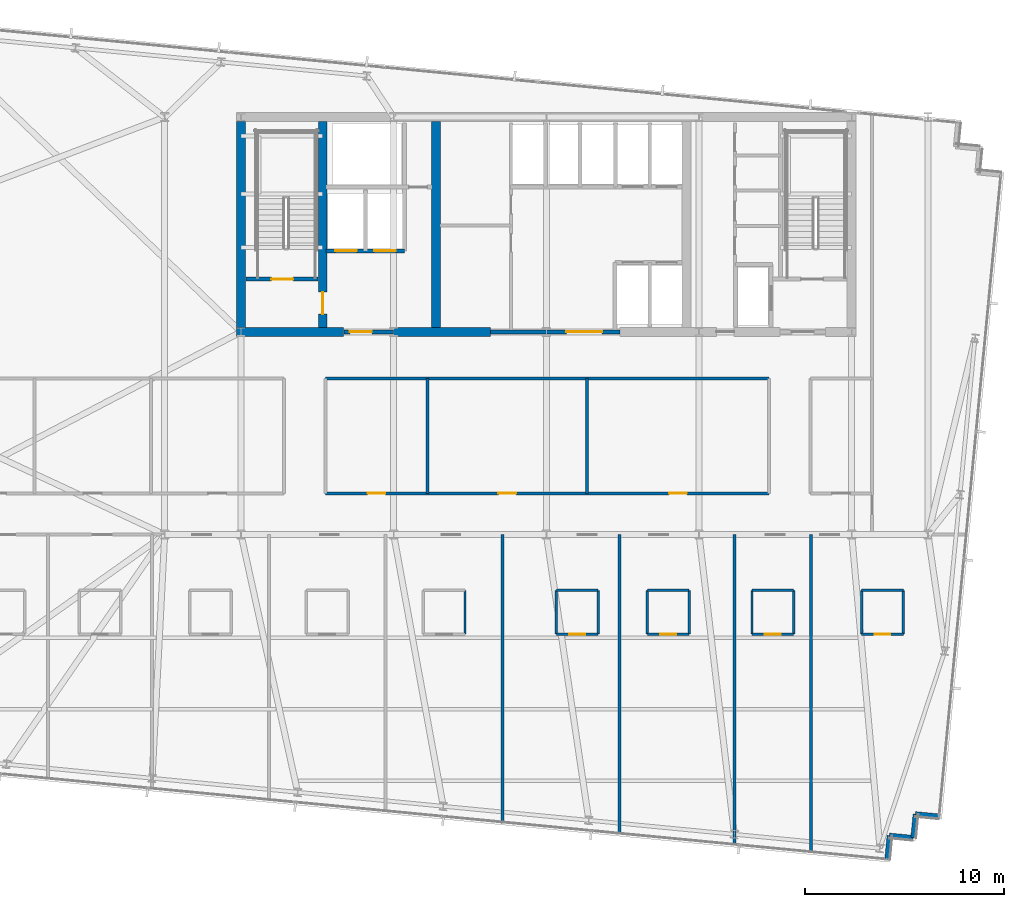
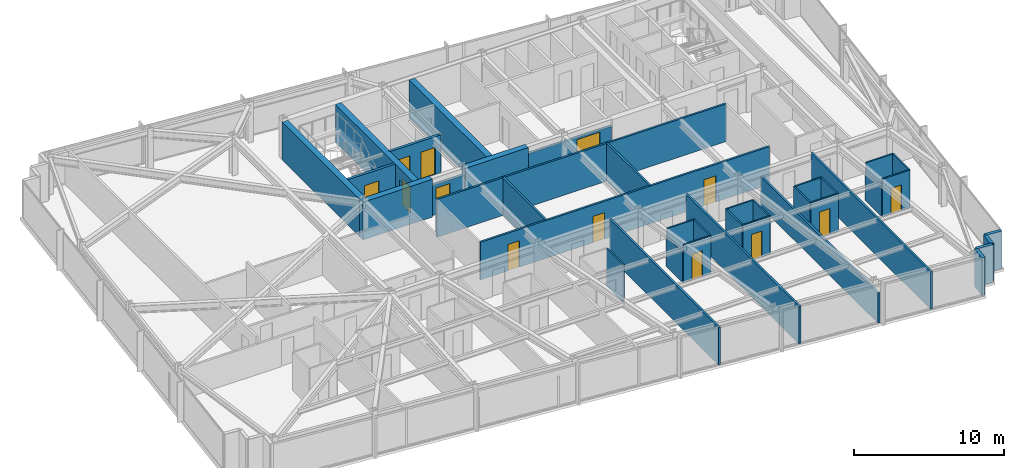
# One storey, part 30 of 37: 38 walls, 13 doors, 13 openings.
"""IFC4 building model written with IfcOpenShell, lengths in metres."""

import ifcopenshell
import ifcopenshell.guid

model = None  # the IFC model being written
_history = None  # IfcOwnerHistory: only IFC2X3 demands one
_inside = {}  # id of a spatial element -> (the spatial element, [elements in it])
_under = {}  # id of a project, library or spatial element -> (it, [spatial elements below it])
_declared = {}  # id of a project -> (the project, [libraries it declares])
_typed = {}  # id of a type object -> (the type object, [elements of that type])
_made_of = {}  # id of a material, layer set ... -> (it, [elements and type objects made of it])


def new_model(schema):
    """Start an empty IFC model of exactly this schema.

    Asked for "IFC4X3", IfcOpenShell would pick the latest addendum, in which some entities
    have other attributes; the version numbers below select the first issue.
    IFC2X3 requires an IfcOwnerHistory on every rooted entity: one is made here for all.
    """
    global model, _history
    if schema == "IFC4X3":
        model = ifcopenshell.file(schema_version=(4, 3, 0, 0))
    else:
        model = ifcopenshell.file(schema=schema)
    _inside.clear()
    _under.clear()
    _declared.clear()
    _typed.clear()
    _made_of.clear()
    _history = None
    if model.schema == "IFC2X3":
        org = make("IfcOrganization", Name="unknown")
        user = make(
            "IfcPersonAndOrganization",
            ThePerson=make("IfcPerson", FamilyName="unknown"),
            TheOrganization=org,
        )
        app = make(
            "IfcApplication",
            ApplicationDeveloper=org,
            Version="unknown",
            ApplicationFullName="unknown",
            ApplicationIdentifier="unknown",
        )
        _history = make(
            "IfcOwnerHistory",
            OwningUser=user,
            OwningApplication=app,
            ChangeAction="ADDED",
            CreationDate=0,
        )
    return model


def make(cls, **values):
    """One entity of the class cls with the attributes given. An attribute that is None is left unset."""
    return model.create_entity(
        cls, **{name: value for name, value in values.items() if value is not None}
    )


def rooted(cls, **values):
    """An entity with a GlobalId (a new one), such as an element, a storey or a relation."""
    return make(cls, GlobalId=ifcopenshell.guid.new(), OwnerHistory=_history, **values)


def si_unit(unit_type, name, prefix=None):
    """IfcSIUnit, for example si_unit("LENGTHUNIT", "METRE", prefix="MILLI")."""
    return make("IfcSIUnit", UnitType=unit_type, Prefix=prefix, Name=name)


def assignment(units):
    """IfcUnitAssignment: the units of a project."""
    return None if units is None else make("IfcUnitAssignment", Units=units)


def point(xyz):
    """IfcCartesianPoint."""
    return None if xyz is None else make("IfcCartesianPoint", Coordinates=xyz)


def direction(xyz):
    """IfcDirection."""
    return None if xyz is None else make("IfcDirection", DirectionRatios=xyz)


def frame(location, z_axis=None, x_axis=None):
    """IfcAxis2Placement3D, a coordinate frame: its origin and axes. An axis left out is left unset."""
    return make(
        "IfcAxis2Placement3D",
        Location=point(location),
        Axis=direction(z_axis),
        RefDirection=direction(x_axis),
    )


def frame_2d(location, x_axis=None):
    """IfcAxis2Placement2D, a coordinate frame in the plane: its origin and x axis."""
    return make(
        "IfcAxis2Placement2D", Location=point(location), RefDirection=direction(x_axis)
    )


def origin():
    """The frame at (0, 0, 0) with its axes left unset."""
    return frame((0.0, 0.0, 0.0))


def place(relative_to, where):
    """IfcLocalPlacement: puts the frame where relative to a parent placement (None: the world)."""
    return make(
        "IfcLocalPlacement", PlacementRelTo=relative_to, RelativePlacement=where
    )


def context(
    kind, dimensions, precision=None, world=None, true_north=None, identifier=None
):
    """IfcGeometricRepresentationContext, for example the 3D "Model" context."""
    return make(
        "IfcGeometricRepresentationContext",
        ContextIdentifier=identifier,
        ContextType=kind,
        CoordinateSpaceDimension=dimensions,
        Precision=precision,
        WorldCoordinateSystem=world,
        TrueNorth=true_north,
    )


def subcontext(parent, identifier, kind, view, scale=None):
    """IfcGeometricRepresentationSubContext, for example "Body" below "Model"."""
    return make(
        "IfcGeometricRepresentationSubContext",
        ContextIdentifier=identifier,
        ContextType=kind,
        ParentContext=parent,
        TargetScale=scale,
        TargetView=view,
    )


def project(units=None, contexts=None):
    """IfcProject with its units and contexts."""
    return rooted(
        "IfcProject",
        Name="project",
        RepresentationContexts=contexts,
        UnitsInContext=assignment(units),
    )


def spatial(cls, under=None, at=None, **own):
    """A site, building, storey or space (cls), placed at a placement, below another one or the project."""
    s = rooted(cls, ObjectPlacement=at, **own)
    if under is not None:
        _under.setdefault(under.id(), (under, []))[1].append(s)
    return s


def profile(cls, at=None, kind="AREA", **sizes):
    """A parametric profile (cls). Its sizes go by their IFC names, for example OverallWidth=200.0."""
    return make(cls, ProfileType=kind, Position=at, **sizes)


def rectangle(**sizes):
    """IfcRectangleProfileDef."""
    return profile("IfcRectangleProfileDef", **sizes)


def extrude(swept, where, along, depth):
    """IfcExtrudedAreaSolid: the profile swept, set in the frame where, extruded along a direction by depth."""
    return make(
        "IfcExtrudedAreaSolid",
        SweptArea=swept,
        Position=where,
        ExtrudedDirection=direction(along),
        Depth=depth,
    )


def shape(context_of_items, identifier, shape_type, items):
    """IfcShapeRepresentation: the items that make up one representation, for example the "Body"."""
    return make(
        "IfcShapeRepresentation",
        ContextOfItems=context_of_items,
        RepresentationIdentifier=identifier,
        RepresentationType=shape_type,
        Items=items,
    )


def material(Name=None, Category=None):
    """IfcMaterial."""
    return make("IfcMaterial", Name=Name, Category=Category)


def layer(
    of_material, thickness, ventilated=None, Name=None, Category=None, Priority=None
):
    """IfcMaterialLayer: one layer of a wall or slab, of a material (None: an air gap)."""
    return make(
        "IfcMaterialLayer",
        Material=of_material,
        LayerThickness=thickness,
        IsVentilated=ventilated,
        Name=Name,
        Category=Category,
        Priority=Priority,
    )


def layer_set(layers, Name=None):
    """IfcMaterialLayerSet."""
    return make("IfcMaterialLayerSet", MaterialLayers=layers, LayerSetName=Name)


def made_of(thing, what):
    """Note that an element or type object is made of a material, layer set ...; save() writes the relation."""
    if what is not None:
        _made_of.setdefault(what.id(), (what, []))[1].append(thing)
    return thing


def type_object(cls, material=None, **own):
    """A type object (cls), such as IfcWallType, which elements share."""
    return made_of(rooted(cls, **own), material)


def element(
    cls,
    number,
    at=None,
    inside=None,
    cuts=None,
    type_object=None,
    material=None,
    context=None,
    identifier="Body",
    shape_type=None,
    held_by="IfcProductDefinitionShape",
    body=None,
    shapes=None,
    **own,
):
    """One element of the class cls, such as IfcWall. Its Tag is "e" and its number.

    at: its placement. inside: the storey or other place that contains it. cuts: it is an
    opening in that element (IfcRelVoidsElement). A single representation is given by context,
    identifier, shape_type and body (its items); several are given by shapes. held_by: the class
    of the entity that holds the representations. save() writes the other relations.
    """
    e = rooted(cls, Tag="e%d" % number, ObjectPlacement=at, **own)
    if body is not None:
        shapes = [shape(context, identifier, shape_type, body)]
    if shapes is not None:
        e.Representation = make(held_by, Representations=shapes)
    if inside is not None:
        _inside.setdefault(inside.id(), (inside, []))[1].append(e)
    if cuts is not None:
        rooted(
            "IfcRelVoidsElement", RelatingBuildingElement=cuts, RelatedOpeningElement=e
        )
    if type_object is not None:
        _typed.setdefault(type_object.id(), (type_object, []))[1].append(e)
    return made_of(e, material)


def fill(opening, filler):
    """IfcRelFillsElement: the door or window that sits in an opening."""
    return rooted(
        "IfcRelFillsElement",
        RelatingOpeningElement=opening,
        RelatedBuildingElement=filler,
    )


def aggregate(whole, parts):
    """IfcRelAggregates: a whole, such as a stair, and the parts it consists of."""
    return rooted("IfcRelAggregates", RelatingObject=whole, RelatedObjects=parts)


def save(model, path):
    """Write the relations noted so far, then the file.

    IfcRelAggregates (storeys below a building ...), IfcRelContainedInSpatialStructure (elements
    in a storey), IfcRelDefinesByType, IfcRelAssociatesMaterial and IfcRelDeclares: one each for
    every whole, place, type object, material and project.
    """
    for whole, parts in _under.values():
        aggregate(whole, parts)
    for where, things in _inside.values():
        rooted(
            "IfcRelContainedInSpatialStructure",
            RelatedElements=things,
            RelatingStructure=where,
        )
    for kind, things in _typed.values():
        rooted("IfcRelDefinesByType", RelatedObjects=things, RelatingType=kind)
    for what, things in _made_of.values():
        rooted("IfcRelAssociatesMaterial", RelatedObjects=things, RelatingMaterial=what)
    for by, libraries in _declared.values():
        rooted("IfcRelDeclares", RelatingContext=by, RelatedDefinitions=libraries)
    model.write(path)


model = new_model("IFC4")

# Units and contexts
model_context = context("Model", 3, precision=1e-05, world=origin(), true_north=direction((0.0, 1.0)))
body_context = subcontext(model_context, "Body", "Model", "MODEL_VIEW")
ifc_project = project(units=[si_unit("LENGTHUNIT", "METRE"), si_unit("AREAUNIT", "SQUARE_METRE"), si_unit("VOLUMEUNIT", "CUBIC_METRE"), si_unit("PLANEANGLEUNIT", "RADIAN"), si_unit("MASSUNIT", "GRAM", prefix="KILO")], contexts=[model_context])

# Site, building, storey
site_placement = place(None, origin())
site = spatial("IfcSite", under=ifc_project, at=site_placement, CompositionType="ELEMENT")
building_placement = place(site_placement, origin())
building = spatial("IfcBuilding", under=site, at=building_placement, Name="Yelkora Congress Tower", CompositionType="ELEMENT")
storey_placement = place(building_placement, frame((0.0, 0.0, 162.199951171875)))
storey = spatial("IfcBuildingStorey", under=building, at=storey_placement, Name="L44", CompositionType="ELEMENT", Elevation=162.199951171875)

# Walls
ifc_material_1 = material(Name="Concrete C60/75", Category="concrete")
ifc_layer_1 = layer(ifc_material_1, 0.449951171875)
ifc_layer_set_1 = layer_set([ifc_layer_1], Name="Concrete C60/75")
wall_type_1 = type_object("IfcWallType", Name="WALL-CORE-INT-450", PredefinedType="SHEAR", material=ifc_layer_set_1)
wall_1_placement = place(storey_placement, frame((22.81494140625, 35.39990234375, 0.0), z_axis=(0.0, 0.0, 1.0), x_axis=(1.0, 0.0, 0.0)))
element("IfcWall", 1, at=wall_1_placement, inside=storey, type_object=wall_type_1, Name="L44 Rear Core South-West Shear Wall", PredefinedType="SHEAR", context=body_context, shape_type="SweptSolid", body=[
    extrude(rectangle(XDim=5.385009765625, YDim=0.449951171875, at=frame_2d((2.6923828125, 0.0))), origin(), (0.0, 0.0, 1.0), 3.080078125),
])
wall_2_placement = place(storey_placement, frame((30.719970703125, 35.39990234375, 0.0), z_axis=(0.0, 0.0, 1.0), x_axis=(1.0, 0.0, 0.0)))
element("IfcWall", 2, at=wall_2_placement, inside=storey, type_object=wall_type_1, Name="L44 Rear Core South-Center Shear Pier", PredefinedType="SHEAR", context=body_context, shape_type="SweptSolid", body=[
    extrude(rectangle(XDim=4.880126953125, YDim=0.449951171875, at=frame_2d((2.43994140625, 0.0))), origin(), (0.0, 0.0, 1.0), 3.080078125),
])
wall_3_placement = place(storey_placement, frame((23.0400390625, 35.625, 0.0), z_axis=(0.0, 0.0, 1.0), x_axis=(0.0, 1.0, 0.0)))
element("IfcWall", 3, at=wall_3_placement, inside=storey, type_object=wall_type_1, Name="L44 Rear Core Cross Shear Wall W", PredefinedType="SHEAR", context=body_context, shape_type="SweptSolid", body=[
    extrude(rectangle(XDim=10.35009765625, YDim=0.449951171875, at=frame_2d((5.175048828125, 0.0))), origin(), (0.0, 0.0, 1.0), 3.080078125),
])

# Wall, opening, door
wall_4_placement = place(storey_placement, frame((27.14990234375, 35.625, 0.0), z_axis=(0.0, 0.0, 1.0), x_axis=(0.0, 1.0, 0.0)))
wall_4 = element("IfcWall", 4, at=wall_4_placement, inside=storey, type_object=wall_type_1, Name="L44 Rear Core Cross Shear Wall C1", PredefinedType="SHEAR", context=body_context, shape_type="SweptSolid", body=[
    extrude(rectangle(XDim=10.35009765625, YDim=0.449951171875, at=frame_2d((5.175048828125, 0.0))), origin(), (0.0, 0.0, 1.0), 3.080078125),
])
opening_1_placement = place(wall_4_placement, frame((0.675048828125, 0.0, 0.0)))
opening_1 = element("IfcOpeningElement", 5, at=opening_1_placement, cuts=wall_4, Name="Opening DR-110F9", PredefinedType="OPENING", context=body_context, shape_type="SweptSolid", body=[
    extrude(rectangle(XDim=1.10009765625, YDim=2.14990234375, at=frame_2d((0.550048828125, 1.074951171875))), frame((0.0, 0.23486328125, 0.0), z_axis=(0.0, -1.0, 0.0), x_axis=(1.0, 0.0, 0.0)), (0.0, 0.0, 1.0), 0.469970703125),
])
ifc_material_2 = material(Name="Galvanised steel fire door leaf", Category="steel")
door_type_1 = type_object("IfcDoorType", Name="DOOR-FD90-1100", OperationType="NOTDEFINED", PredefinedType="DOOR", material=ifc_material_2)
door_1_placement = place(opening_1_placement, origin())
door_1 = element("IfcDoor", 6, at=door_1_placement, inside=storey, type_object=door_type_1, Name="L44 Firefighting Stair Transfer Door", OperationType="SINGLE_SWING_LEFT", OverallHeight=2.14990234375, OverallWidth=1.10009765625, PredefinedType="DOOR", context=body_context, shape_type="SweptSolid", body=[
    extrude(rectangle(XDim=1.10009765625, YDim=2.14990234375, at=frame_2d((0.550048828125, 1.074951171875))), frame((0.0, 0.02490234375, 0.0), z_axis=(0.0, -1.0, 0.0), x_axis=(1.0, 0.0, 0.0)), (0.0, 0.0, 1.0), 0.050048828125),
])
fill(opening_1, door_1)

# Walls
wall_5_placement = place(storey_placement, frame((32.85009765625, 35.625, 0.0), z_axis=(0.0, 0.0, 1.0), x_axis=(0.0, 1.0, 0.0)))
element("IfcWall", 7, at=wall_5_placement, inside=storey, type_object=wall_type_1, Name="L44 Rear Core Cross Shear Wall C2", PredefinedType="SHEAR", context=body_context, shape_type="SweptSolid", body=[
    extrude(rectangle(XDim=10.35009765625, YDim=0.449951171875, at=frame_2d((5.175048828125, 0.0))), origin(), (0.0, 0.0, 1.0), 3.080078125),
])
ifc_material_3 = material(Name="Concrete C40/50", Category="concrete")
ifc_layer_2 = layer(ifc_material_3, 0.239990234375)
ifc_layer_set_2 = layer_set([ifc_layer_2], Name="Concrete C40/50")
wall_type_2 = type_object("IfcWallType", Name="WALL-EXT-LIMESTONE-240", PredefinedType="SOLIDWALL", material=ifc_layer_set_2)
wall_6_placement = place(storey_placement, frame((58.160400390625, 11.033203125, 0.0), z_axis=(0.0, 0.0, 1.0), x_axis=(-0.995398960025, 0.095817067274, 0.0)))
element("IfcWall", 8, at=wall_6_placement, inside=storey, type_object=wall_type_2, Name="L44 Serrated Corner Limestone Pier 16", PredefinedType="SOLIDWALL", context=body_context, shape_type="SweptSolid", body=[
    extrude(rectangle(XDim=1.2001953125, YDim=0.239990234375, at=frame_2d((0.60009765625, 0.0))), origin(), (0.0, 0.0, 1.0), 3.080078125),
])
for number, where, z_axis, x_axis, name in (
    (9, (56.9658203125, 11.148193359375, 0.0), (0.0, 0.0, 1.0), (-0.095836473879, -0.995397091755, 0.0), "L44 Serrated Corner Limestone Pier 17"),
    (10, (56.850830078125, 9.953857421875, 0.0), (0.0, 0.0, 1.0), (-0.995397091755, 0.095836473879, 0.0), "L44 Serrated Corner Limestone Pier 18"),
):
    element("IfcWall", number, at=place(storey_placement, frame(where, z_axis=z_axis, x_axis=x_axis)), inside=storey, type_object=wall_type_2, Name=name, PredefinedType="SOLIDWALL", context=body_context, shape_type="SweptSolid", body=[
        extrude(rectangle(XDim=1.199951171875, YDim=0.239990234375, at=frame_2d((0.60009765625, 0.0))), origin(), (0.0, 0.0, 1.0), 3.080078125),
    ])
wall_7_placement = place(storey_placement, frame((55.656494140625, 10.06884765625, 0.0), z_axis=(0.0, 0.0, 1.0), x_axis=(-0.095817067274, -0.995398960025, 0.0)))
element("IfcWall", 11, at=wall_7_placement, inside=storey, type_object=wall_type_2, Name="L44 Serrated Corner Limestone Pier 19", PredefinedType="SOLIDWALL", context=body_context, shape_type="SweptSolid", body=[
    extrude(rectangle(XDim=1.2001953125, YDim=0.239990234375, at=frame_2d((0.60009765625, 0.0))), origin(), (0.0, 0.0, 1.0), 3.080078125),
])
ifc_material_4 = material(Name="Moisture-resistant gypsum partition", Category="gypsum")
ifc_layer_3 = layer(ifc_material_4, 0.1201171875)
ifc_layer_set_3 = layer_set([ifc_layer_3], Name="Moisture-resistant gypsum partition")
wall_type_3 = type_object("IfcWallType", Name="WALL-INT-120-NR", PredefinedType="PARTITIONING", material=ifc_layer_set_3)
wall_8_placement = place(storey_placement, frame((34.30810546875, 20.199951171875, 0.0), z_axis=(0.0, 0.0, 1.0), x_axis=(0.0, 1.0, 0.0)))
element("IfcWall", 12, at=wall_8_placement, inside=storey, type_object=wall_type_3, Name="L44 Partition Wall 49", PredefinedType="PARTITIONING", context=body_context, shape_type="SweptSolid", body=[
    extrude(rectangle(XDim=2.199951171875, YDim=0.1201171875, at=frame_2d((1.10009765625, 0.0))), origin(), (0.0, 0.0, 1.0), 3.080078125),
])
wall_9_placement = place(storey_placement, frame((38.89990234375, 22.39990234375, 0.0), z_axis=(0.0, 0.0, 1.0), x_axis=(1.0, 0.0, 0.0)))
element("IfcWall", 13, at=wall_9_placement, inside=storey, type_object=wall_type_3, Name="L44 Partition Wall 52", PredefinedType="PARTITIONING", context=body_context, shape_type="SweptSolid", body=[
    extrude(rectangle(XDim=2.10009765625, YDim=0.1201171875, at=frame_2d((1.050048828125, 0.0))), origin(), (0.0, 0.0, 1.0), 3.080078125),
])
wall_10_placement = place(storey_placement, frame((38.89990234375, 20.199951171875, 0.0), z_axis=(0.0, 0.0, 1.0), x_axis=(0.0, 1.0, 0.0)))
element("IfcWall", 14, at=wall_10_placement, inside=storey, type_object=wall_type_3, Name="L44 Partition Wall 53", PredefinedType="PARTITIONING", context=body_context, shape_type="SweptSolid", body=[
    extrude(rectangle(XDim=2.199951171875, YDim=0.1201171875, at=frame_2d((1.10009765625, 0.0))), origin(), (0.0, 0.0, 1.0), 2.47509765625),
])
wall_11_placement = place(storey_placement, frame((41.0, 20.199951171875, 0.0), z_axis=(0.0, 0.0, 1.0), x_axis=(0.0, 1.0, 0.0)))
element("IfcWall", 15, at=wall_11_placement, inside=storey, type_object=wall_type_3, Name="L44 Partition Wall 54", PredefinedType="PARTITIONING", context=body_context, shape_type="SweptSolid", body=[
    extrude(rectangle(XDim=2.199951171875, YDim=0.1201171875, at=frame_2d((1.10009765625, 0.0))), origin(), (0.0, 0.0, 1.0), 3.080078125),
])

# Wall, opening, door
wall_12_placement = place(storey_placement, frame((38.89990234375, 20.199951171875, 0.0), z_axis=(0.0, 0.0, 1.0), x_axis=(1.0, 0.0, 0.0)))
wall_12 = element("IfcWall", 16, at=wall_12_placement, inside=storey, type_object=wall_type_3, Name="L44 Partition Wall 55", PredefinedType="PARTITIONING", context=body_context, shape_type="SweptSolid", body=[
    extrude(rectangle(XDim=2.10009765625, YDim=0.1201171875, at=frame_2d((1.050048828125, 0.0))), origin(), (0.0, 0.0, 1.0), 3.080078125),
])
opening_2_placement = place(wall_12_placement, frame((0.64990234375, 0.0, 0.0)))
opening_2 = element("IfcOpeningElement", 17, at=opening_2_placement, cuts=wall_12, Name="Opening DR-080B", PredefinedType="OPENING", context=body_context, shape_type="SweptSolid", body=[
    extrude(rectangle(XDim=0.800048828125, YDim=2.10009765625, at=frame_2d((0.39990234375, 1.050048828125))), frame((0.0, 0.070068359375, 0.0), z_axis=(0.0, -1.0, 0.0), x_axis=(1.0, 0.0, 0.0)), (0.0, 0.0, 1.0), 0.14013671875),
])
ifc_material_5 = material(Name="Moisture-sealed en-suite timber door", Category="wood")
door_type_2 = type_object("IfcDoorType", Name="DOOR-BATH-800", OperationType="NOTDEFINED", PredefinedType="DOOR", material=ifc_material_5)
door_2_placement = place(opening_2_placement, origin())
door_2 = element("IfcDoor", 18, at=door_2_placement, inside=storey, type_object=door_type_2, Name="L44 En-suite Door 6", OperationType="SINGLE_SWING_LEFT", OverallHeight=2.10009765625, OverallWidth=0.800048828125, PredefinedType="DOOR", context=body_context, shape_type="SweptSolid", body=[
    extrude(rectangle(XDim=0.800048828125, YDim=2.10009765625, at=frame_2d((0.39990234375, 1.050048828125))), frame((0.0, 0.02490234375, 0.0), z_axis=(0.0, -1.0, 0.0), x_axis=(1.0, 0.0, 0.0)), (0.0, 0.0, 1.0), 0.050048828125),
])
fill(opening_2, door_2)

# Walls
wall_13_placement = place(storey_placement, frame((43.47998046875, 22.39990234375, 0.0), z_axis=(0.0, 0.0, 1.0), x_axis=(1.0, 0.0, 0.0)))
element("IfcWall", 19, at=wall_13_placement, inside=storey, type_object=wall_type_3, Name="L44 Partition Wall 57", PredefinedType="PARTITIONING", context=body_context, shape_type="SweptSolid", body=[
    extrude(rectangle(XDim=2.10009765625, YDim=0.1201171875, at=frame_2d((1.050048828125, 0.0))), origin(), (0.0, 0.0, 1.0), 3.080078125),
])
for number, where, z_axis, x_axis, name in (
    (20, (43.47998046875, 20.199951171875, 0.0), (0.0, 0.0, 1.0), (0.0, 1.0, 0.0), "L44 Partition Wall 58"),
    (21, (45.580078125, 20.199951171875, 0.0), (0.0, 0.0, 1.0), (0.0, 1.0, 0.0), "L44 Partition Wall 59"),
):
    element("IfcWall", number, at=place(storey_placement, frame(where, z_axis=z_axis, x_axis=x_axis)), inside=storey, type_object=wall_type_3, Name=name, PredefinedType="PARTITIONING", context=body_context, shape_type="SweptSolid", body=[
        extrude(rectangle(XDim=2.199951171875, YDim=0.1201171875, at=frame_2d((1.10009765625, 0.0))), origin(), (0.0, 0.0, 1.0), 3.080078125),
    ])

# Wall, opening, door
wall_14_placement = place(storey_placement, frame((43.47998046875, 20.199951171875, 0.0), z_axis=(0.0, 0.0, 1.0), x_axis=(1.0, 0.0, 0.0)))
wall_14 = element("IfcWall", 22, at=wall_14_placement, inside=storey, type_object=wall_type_3, Name="L44 Partition Wall 60", PredefinedType="PARTITIONING", context=body_context, shape_type="SweptSolid", body=[
    extrude(rectangle(XDim=2.10009765625, YDim=0.1201171875, at=frame_2d((1.050048828125, 0.0))), origin(), (0.0, 0.0, 1.0), 3.080078125),
])
opening_3_placement = place(wall_14_placement, frame((0.64990234375, 0.0, 0.0)))
opening_3 = element("IfcOpeningElement", 23, at=opening_3_placement, cuts=wall_14, Name="Opening DR-080B", PredefinedType="OPENING", context=body_context, shape_type="SweptSolid", body=[
    extrude(rectangle(XDim=0.800048828125, YDim=2.10009765625, at=frame_2d((0.39990234375, 1.050048828125))), frame((0.0, 0.070068359375, 0.0), z_axis=(0.0, -1.0, 0.0), x_axis=(1.0, 0.0, 0.0)), (0.0, 0.0, 1.0), 0.14013671875),
])
door_3_placement = place(opening_3_placement, origin())
door_3 = element("IfcDoor", 24, at=door_3_placement, inside=storey, type_object=door_type_2, Name="L44 En-suite Door 7", OperationType="SINGLE_SWING_RIGHT", OverallHeight=2.10009765625, OverallWidth=0.800048828125, PredefinedType="DOOR", context=body_context, shape_type="SweptSolid", body=[
    extrude(rectangle(XDim=0.800048828125, YDim=2.10009765625, at=frame_2d((0.39990234375, 1.050048828125))), frame((0.0, 0.02490234375, 0.0), z_axis=(0.0, -1.0, 0.0), x_axis=(1.0, 0.0, 0.0)), (0.0, 0.0, 1.0), 0.050048828125),
])
fill(opening_3, door_3)

# Walls
wall_15_placement = place(storey_placement, frame((48.740966796875, 22.39990234375, 0.0), z_axis=(0.0, 0.0, 1.0), x_axis=(1.0, 0.0, 0.0)))
element("IfcWall", 25, at=wall_15_placement, inside=storey, type_object=wall_type_3, Name="L44 Partition Wall 62", PredefinedType="PARTITIONING", context=body_context, shape_type="SweptSolid", body=[
    extrude(rectangle(XDim=2.10009765625, YDim=0.1201171875, at=frame_2d((1.050048828125, 0.0))), origin(), (0.0, 0.0, 1.0), 3.080078125),
])
for number, where, z_axis, x_axis, name in (
    (26, (48.740966796875, 20.199951171875, 0.0), (0.0, 0.0, 1.0), (0.0, 1.0, 0.0), "L44 Partition Wall 63"),
    (27, (50.841064453125, 20.199951171875, 0.0), (0.0, 0.0, 1.0), (0.0, 1.0, 0.0), "L44 Partition Wall 64"),
):
    element("IfcWall", number, at=place(storey_placement, frame(where, z_axis=z_axis, x_axis=x_axis)), inside=storey, type_object=wall_type_3, Name=name, PredefinedType="PARTITIONING", context=body_context, shape_type="SweptSolid", body=[
        extrude(rectangle(XDim=2.199951171875, YDim=0.1201171875, at=frame_2d((1.10009765625, 0.0))), origin(), (0.0, 0.0, 1.0), 3.080078125),
    ])

# Wall, opening, door
wall_16_placement = place(storey_placement, frame((48.740966796875, 20.199951171875, 0.0), z_axis=(0.0, 0.0, 1.0), x_axis=(1.0, 0.0, 0.0)))
wall_16 = element("IfcWall", 28, at=wall_16_placement, inside=storey, type_object=wall_type_3, Name="L44 Partition Wall 65", PredefinedType="PARTITIONING", context=body_context, shape_type="SweptSolid", body=[
    extrude(rectangle(XDim=2.10009765625, YDim=0.1201171875, at=frame_2d((1.050048828125, 0.0))), origin(), (0.0, 0.0, 1.0), 3.080078125),
])
opening_4_placement = place(wall_16_placement, frame((0.64990234375, 0.0, 0.0)))
opening_4 = element("IfcOpeningElement", 29, at=opening_4_placement, cuts=wall_16, Name="Opening DR-080B", PredefinedType="OPENING", context=body_context, shape_type="SweptSolid", body=[
    extrude(rectangle(XDim=0.800048828125, YDim=2.10009765625, at=frame_2d((0.39990234375, 1.050048828125))), frame((0.0, 0.070068359375, 0.0), z_axis=(0.0, -1.0, 0.0), x_axis=(1.0, 0.0, 0.0)), (0.0, 0.0, 1.0), 0.14013671875),
])
door_4_placement = place(opening_4_placement, origin())
door_4 = element("IfcDoor", 30, at=door_4_placement, inside=storey, type_object=door_type_2, Name="L44 En-suite Door 8", OperationType="SINGLE_SWING_LEFT", OverallHeight=2.10009765625, OverallWidth=0.800048828125, PredefinedType="DOOR", context=body_context, shape_type="SweptSolid", body=[
    extrude(rectangle(XDim=0.800048828125, YDim=2.10009765625, at=frame_2d((0.39990234375, 1.050048828125))), frame((0.0, 0.02490234375, 0.0), z_axis=(0.0, -1.0, 0.0), x_axis=(1.0, 0.0, 0.0)), (0.0, 0.0, 1.0), 0.050048828125),
])
fill(opening_4, door_4)

# Walls
wall_17_placement = place(storey_placement, frame((54.260009765625, 22.39990234375, 0.0), z_axis=(0.0, 0.0, 1.0), x_axis=(1.0, 0.0, 0.0)))
element("IfcWall", 31, at=wall_17_placement, inside=storey, type_object=wall_type_3, Name="L44 Partition Wall 67", PredefinedType="PARTITIONING", context=body_context, shape_type="SweptSolid", body=[
    extrude(rectangle(XDim=2.10009765625, YDim=0.1201171875, at=frame_2d((1.050048828125, 0.0))), origin(), (0.0, 0.0, 1.0), 3.080078125),
])
wall_18_placement = place(storey_placement, frame((54.260009765625, 20.199951171875, 0.0), z_axis=(0.0, 0.0, 1.0), x_axis=(0.0, 1.0, 0.0)))
element("IfcWall", 32, at=wall_18_placement, inside=storey, type_object=wall_type_3, Name="L44 Partition Wall 68", PredefinedType="PARTITIONING", context=body_context, shape_type="SweptSolid", body=[
    extrude(rectangle(XDim=2.199951171875, YDim=0.1201171875, at=frame_2d((1.10009765625, 0.0))), origin(), (0.0, 0.0, 1.0), 2.47509765625),
])
wall_19_placement = place(storey_placement, frame((56.360107421875, 20.199951171875, 0.0), z_axis=(0.0, 0.0, 1.0), x_axis=(0.0, 1.0, 0.0)))
element("IfcWall", 33, at=wall_19_placement, inside=storey, type_object=wall_type_3, Name="L44 Partition Wall 69", PredefinedType="PARTITIONING", context=body_context, shape_type="SweptSolid", body=[
    extrude(rectangle(XDim=2.199951171875, YDim=0.1201171875, at=frame_2d((1.10009765625, 0.0))), origin(), (0.0, 0.0, 1.0), 3.080078125),
])

# Wall, opening, door
wall_20_placement = place(storey_placement, frame((54.260009765625, 20.199951171875, 0.0), z_axis=(0.0, 0.0, 1.0), x_axis=(1.0, 0.0, 0.0)))
wall_20 = element("IfcWall", 34, at=wall_20_placement, inside=storey, type_object=wall_type_3, Name="L44 Partition Wall 70", PredefinedType="PARTITIONING", context=body_context, shape_type="SweptSolid", body=[
    extrude(rectangle(XDim=2.10009765625, YDim=0.1201171875, at=frame_2d((1.050048828125, 0.0))), origin(), (0.0, 0.0, 1.0), 3.080078125),
])
opening_5_placement = place(wall_20_placement, frame((0.64990234375, 0.0, 0.0)))
opening_5 = element("IfcOpeningElement", 35, at=opening_5_placement, cuts=wall_20, Name="Opening DR-080B", PredefinedType="OPENING", context=body_context, shape_type="SweptSolid", body=[
    extrude(rectangle(XDim=0.800048828125, YDim=2.10009765625, at=frame_2d((0.39990234375, 1.050048828125))), frame((0.0, 0.070068359375, 0.0), z_axis=(0.0, -1.0, 0.0), x_axis=(1.0, 0.0, 0.0)), (0.0, 0.0, 1.0), 0.14013671875),
])
door_5_placement = place(opening_5_placement, origin())
door_5 = element("IfcDoor", 36, at=door_5_placement, inside=storey, type_object=door_type_2, Name="L44 En-suite Door 9", OperationType="SINGLE_SWING_RIGHT", OverallHeight=2.10009765625, OverallWidth=0.800048828125, PredefinedType="DOOR", context=body_context, shape_type="SweptSolid", body=[
    extrude(rectangle(XDim=0.800048828125, YDim=2.10009765625, at=frame_2d((0.39990234375, 1.050048828125))), frame((0.0, 0.02490234375, 0.0), z_axis=(0.0, -1.0, 0.0), x_axis=(1.0, 0.0, 0.0)), (0.0, 0.0, 1.0), 0.050048828125),
])
fill(opening_5, door_5)

# Walls
ifc_material_6 = material(Name="Acoustic metal-stud gypsum partition", Category="gypsum")
ifc_layer_4 = layer(ifc_material_6, 0.14990234375)
ifc_layer_set_4 = layer_set([ifc_layer_4], Name="Acoustic metal-stud gypsum partition")
wall_type_4 = type_object("IfcWallType", Name="WALL-INT-150-NR", PredefinedType="PARTITIONING", material=ifc_layer_set_4)
wall_21_placement = place(storey_placement, frame((27.280029296875, 33.050048828125, 0.0), z_axis=(0.0, 0.0, 1.0), x_axis=(1.0, 0.0, 0.0)))
element("IfcWall", 37, at=wall_21_placement, inside=storey, type_object=wall_type_4, Name="L44 Partition Wall 80", PredefinedType="PARTITIONING", context=body_context, shape_type="SweptSolid", body=[
    extrude(rectangle(XDim=22.320068359375, YDim=0.14990234375, at=frame_2d((11.16015625, 0.0))), origin(), (0.0, 0.0, 1.0), 3.080078125),
])
for number, where, z_axis, x_axis, name in (
    (38, (32.4189453125, 27.280029296875, 0.0), (0.0, 0.0, 1.0), (0.0, 1.0, 0.0), "L44 Partition Wall 85"),
    (39, (40.447021484375, 27.280029296875, 0.0), (0.0, 0.0, 1.0), (0.0, 1.0, 0.0), "L44 Partition Wall 86"),
):
    element("IfcWall", number, at=place(storey_placement, frame(where, z_axis=z_axis, x_axis=x_axis)), inside=storey, type_object=wall_type_4, Name=name, PredefinedType="PARTITIONING", context=body_context, shape_type="SweptSolid", body=[
        extrude(rectangle(XDim=5.77001953125, YDim=0.14990234375, at=frame_2d((2.885009765625, 0.0))), origin(), (0.0, 0.0, 1.0), 3.080078125),
    ])

# Wall, openings, doors
wall_22_placement = place(storey_placement, frame((27.2900390625, 27.280029296875, 0.0), z_axis=(0.0, 0.0, 1.0), x_axis=(1.0, 0.0, 0.0)))
wall_22 = element("IfcWall", 40, at=wall_22_placement, inside=storey, type_object=wall_type_4, Name="L44 Partition Wall 87", PredefinedType="PARTITIONING", context=body_context, shape_type="SweptSolid", body=[
    extrude(rectangle(XDim=22.300048828125, YDim=0.14990234375, at=frame_2d((11.14990234375, 0.0))), origin(), (0.0, 0.0, 1.0), 3.080078125),
])
opening_6_placement = place(wall_22_placement, frame((2.114501953125, 0.0, 0.0)))
opening_6 = element("IfcOpeningElement", 41, at=opening_6_placement, cuts=wall_22, Name="Opening DR-090N", PredefinedType="OPENING", context=body_context, shape_type="SweptSolid", body=[
    extrude(rectangle(XDim=0.89990234375, YDim=2.14990234375, at=frame_2d((0.449951171875, 1.074951171875))), frame((0.0, 0.0849609375, 0.0), z_axis=(0.0, -1.0, 0.0), x_axis=(1.0, 0.0, 0.0)), (0.0, 0.0, 1.0), 0.169921875),
])
opening_7_placement = place(wall_22_placement, frame((8.693115234375, 0.0, 0.0)))
opening_7 = element("IfcOpeningElement", 42, at=opening_7_placement, cuts=wall_22, Name="Opening DR-090N", PredefinedType="OPENING", context=body_context, shape_type="SweptSolid", body=[
    extrude(rectangle(XDim=0.89990234375, YDim=2.14990234375, at=frame_2d((0.449951171875, 1.074951171875))), frame((0.0, 0.0849609375, 0.0), z_axis=(0.0, -1.0, 0.0), x_axis=(1.0, 0.0, 0.0)), (0.0, 0.0, 1.0), 0.169921875),
])
opening_8_placement = place(wall_22_placement, frame((17.278564453125, 0.0, 0.0)))
opening_8 = element("IfcOpeningElement", 43, at=opening_8_placement, cuts=wall_22, Name="Opening DR-090N", PredefinedType="OPENING", context=body_context, shape_type="SweptSolid", body=[
    extrude(rectangle(XDim=0.89990234375, YDim=2.14990234375, at=frame_2d((0.449951171875, 1.074951171875))), frame((0.0, 0.0849609375, 0.0), z_axis=(0.0, -1.0, 0.0), x_axis=(1.0, 0.0, 0.0)), (0.0, 0.0, 1.0), 0.169921875),
])
ifc_material_7 = material(Name="Moisture-resistant laminate door leaf", Category="wood")
door_type_3 = type_object("IfcDoorType", Name="DOOR-INT-900", OperationType="NOTDEFINED", PredefinedType="DOOR", material=ifc_material_7)
door_6_placement = place(opening_6_placement, origin())
door_6 = element("IfcDoor", 44, at=door_6_placement, inside=storey, type_object=door_type_3, Name="L44 Huddle Seminar Room Door", OperationType="SINGLE_SWING_LEFT", OverallHeight=2.14990234375, OverallWidth=0.89990234375, PredefinedType="DOOR", context=body_context, shape_type="SweptSolid", body=[
    extrude(rectangle(XDim=0.89990234375, YDim=2.14990234375, at=frame_2d((0.449951171875, 1.074951171875))), frame((0.0, 0.02490234375, 0.0), z_axis=(0.0, -1.0, 0.0), x_axis=(1.0, 0.0, 0.0)), (0.0, 0.0, 1.0), 0.050048828125),
])
fill(opening_6, door_6)
door_7_placement = place(opening_7_placement, origin())
door_7 = element("IfcDoor", 45, at=door_7_placement, inside=storey, type_object=door_type_3, Name="L44 Breakout Training Room Door", OperationType="SINGLE_SWING_RIGHT", OverallHeight=2.14990234375, OverallWidth=0.89990234375, PredefinedType="DOOR", context=body_context, shape_type="SweptSolid", body=[
    extrude(rectangle(XDim=0.89990234375, YDim=2.14990234375, at=frame_2d((0.449951171875, 1.074951171875))), frame((0.0, 0.02490234375, 0.0), z_axis=(0.0, -1.0, 0.0), x_axis=(1.0, 0.0, 0.0)), (0.0, 0.0, 1.0), 0.050048828125),
])
fill(opening_7, door_7)
door_8_placement = place(opening_8_placement, origin())
door_8 = element("IfcDoor", 46, at=door_8_placement, inside=storey, type_object=door_type_3, Name="L44 Executive Boardroom Door", OperationType="SINGLE_SWING_LEFT", OverallHeight=2.14990234375, OverallWidth=0.89990234375, PredefinedType="DOOR", context=body_context, shape_type="SweptSolid", body=[
    extrude(rectangle(XDim=0.89990234375, YDim=2.14990234375, at=frame_2d((0.449951171875, 1.074951171875))), frame((0.0, 0.02490234375, 0.0), z_axis=(0.0, -1.0, 0.0), x_axis=(1.0, 0.0, 0.0)), (0.0, 0.0, 1.0), 0.050048828125),
])
fill(opening_8, door_8)

# Walls
ifc_material_8 = material(Name="Twin-stud fire-rated gypsum partition", Category="gypsum")
ifc_layer_5 = layer(ifc_material_8, 0.14990234375)
ifc_layer_set_5 = layer_set([ifc_layer_5], Name="Twin-stud fire-rated gypsum partition")
wall_type_5 = type_object("IfcWallType", Name="WALL-INT-150-R60", PredefinedType="PARTITIONING", material=ifc_layer_set_5)
wall_23_placement = place(storey_placement, frame((36.197998046875, 10.676513671875, 0.0), z_axis=(0.0, 0.0, 1.0), x_axis=(0.0, 1.0, 0.0)))
element("IfcWall", 47, at=wall_23_placement, inside=storey, type_object=wall_type_5, Name="L44 Partition Wall 56", PredefinedType="PARTITIONING", context=body_context, shape_type="SweptSolid", body=[
    extrude(rectangle(XDim=14.54345703125, YDim=0.14990234375, at=frame_2d((7.271728515625, 0.0))), origin(), (0.0, 0.0, 1.0), 3.080078125),
])
wall_24_placement = place(storey_placement, frame((42.0791015625, 10.1103515625, 0.0), z_axis=(0.0, 0.0, 1.0), x_axis=(0.0, 1.0, 0.0)))
element("IfcWall", 48, at=wall_24_placement, inside=storey, type_object=wall_type_5, Name="L44 Partition Wall 61", PredefinedType="PARTITIONING", context=body_context, shape_type="SweptSolid", body=[
    extrude(rectangle(XDim=15.109619140625, YDim=0.14990234375, at=frame_2d((7.5546875, 0.0))), origin(), (0.0, 0.0, 1.0), 3.080078125),
])
wall_25_placement = place(storey_placement, frame((47.85888671875, 9.5537109375, 0.0), z_axis=(0.0, 0.0, 1.0), x_axis=(0.0, 1.0, 0.0)))
element("IfcWall", 49, at=wall_25_placement, inside=storey, type_object=wall_type_5, Name="L44 Partition Wall 66", PredefinedType="PARTITIONING", context=body_context, shape_type="SweptSolid", body=[
    extrude(rectangle(XDim=15.666259765625, YDim=0.14990234375, at=frame_2d((7.8330078125, 0.0))), origin(), (0.0, 0.0, 1.0), 2.47509765625),
])
wall_26_placement = place(storey_placement, frame((51.721923828125, 9.181884765625, 0.0), z_axis=(0.0, 0.0, 1.0), x_axis=(0.0, 1.0, 0.0)))
element("IfcWall", 50, at=wall_26_placement, inside=storey, type_object=wall_type_5, Name="L44 Partition Wall 71", PredefinedType="PARTITIONING", context=body_context, shape_type="SweptSolid", body=[
    extrude(rectangle(XDim=16.0380859375, YDim=0.14990234375, at=frame_2d((8.01904296875, 0.0))), origin(), (0.0, 0.0, 1.0), 3.080078125),
])

# Wall, opening, door
ifc_material_9 = material(Name="Autoclaved aerated concrete blockwork", Category="masonry")
ifc_layer_6 = layer(ifc_material_9, 0.199951171875)
ifc_layer_set_6 = layer_set([ifc_layer_6], Name="Autoclaved aerated concrete blockwork")
wall_type_6 = type_object("IfcWallType", Name="WALL-INT-200-R120", PredefinedType="PARTITIONING", material=ifc_layer_set_6)
wall_27_placement = place(storey_placement, frame((23.300048828125, 38.050048828125, 0.0), z_axis=(0.0, 0.0, 1.0), x_axis=(1.0, 0.0, 0.0)))
wall_27 = element("IfcWall", 51, at=wall_27_placement, inside=storey, type_object=wall_type_6, Name="L44 Stair ST-01 Enclosure Wall", PredefinedType="PARTITIONING", context=body_context, shape_type="SweptSolid", body=[
    extrude(rectangle(XDim=3.619873046875, YDim=0.199951171875, at=frame_2d((1.81005859375, 0.0))), origin(), (0.0, 0.0, 1.0), 3.080078125),
])
opening_9_placement = place(wall_27_placement, frame((1.260009765625, 0.0, 0.0)))
opening_9 = element("IfcOpeningElement", 52, at=opening_9_placement, cuts=wall_27, Name="Opening DR-110F9", PredefinedType="OPENING", context=body_context, shape_type="SweptSolid", body=[
    extrude(rectangle(XDim=1.10009765625, YDim=2.14990234375, at=frame_2d((0.550048828125, 1.074951171875))), frame((0.0, 0.10986328125, 0.0), z_axis=(0.0, -1.0, 0.0), x_axis=(1.0, 0.0, 0.0)), (0.0, 0.0, 1.0), 0.219970703125),
])
door_9_placement = place(opening_9_placement, origin())
door_9 = element("IfcDoor", 53, at=door_9_placement, inside=storey, type_object=door_type_1, Name="L44 Stair ST-01 Entry Door", OperationType="SINGLE_SWING_LEFT", OverallHeight=2.14990234375, OverallWidth=1.10009765625, PredefinedType="DOOR", context=body_context, shape_type="SweptSolid", body=[
    extrude(rectangle(XDim=1.10009765625, YDim=2.14990234375, at=frame_2d((0.550048828125, 1.074951171875))), frame((0.0, 0.02490234375, 0.0), z_axis=(0.0, -1.0, 0.0), x_axis=(1.0, 0.0, 0.0)), (0.0, 0.0, 1.0), 0.050048828125),
])
fill(opening_9, door_9)

wall_28_placement = place(storey_placement, frame((28.219970703125, 35.39990234375, 0.0), z_axis=(0.0, 0.0, 1.0), x_axis=(1.0, 0.0, 0.0)))
wall_28 = element("IfcWall", 54, at=wall_28_placement, inside=storey, type_object=wall_type_6, Name="L44 Firefighting Lobby South Wall", PredefinedType="PARTITIONING", context=body_context, shape_type="SweptSolid", body=[
    extrude(rectangle(XDim=2.5, YDim=0.199951171875, at=frame_2d((1.25, 0.0))), origin(), (0.0, 0.0, 1.0), 2.47509765625),
])
opening_10_placement = place(wall_28_placement, frame((0.300048828125, 0.0, 0.0)))
opening_10 = element("IfcOpeningElement", 55, at=opening_10_placement, cuts=wall_28, Name="Opening DR-110F9", PredefinedType="OPENING", context=body_context, shape_type="SweptSolid", body=[
    extrude(rectangle(XDim=1.10009765625, YDim=2.14990234375, at=frame_2d((0.550048828125, 1.074951171875))), frame((0.0, 0.10986328125, 0.0), z_axis=(0.0, -1.0, 0.0), x_axis=(1.0, 0.0, 0.0)), (0.0, 0.0, 1.0), 0.219970703125),
])
door_10_placement = place(opening_10_placement, origin())
door_10 = element("IfcDoor", 56, at=door_10_placement, inside=storey, type_object=door_type_1, Name="L44 Firefighting Lobby Corridor Door", OperationType="SINGLE_SWING_RIGHT", OverallHeight=2.14990234375, OverallWidth=1.10009765625, PredefinedType="DOOR", context=body_context, shape_type="SweptSolid", body=[
    extrude(rectangle(XDim=1.10009765625, YDim=2.14990234375, at=frame_2d((0.550048828125, 1.074951171875))), frame((0.0, 0.02490234375, 0.0), z_axis=(0.0, -1.0, 0.0), x_axis=(1.0, 0.0, 0.0)), (0.0, 0.0, 1.0), 0.050048828125),
])
fill(opening_10, door_10)

# Wall, openings, doors
wall_29_placement = place(storey_placement, frame((27.320068359375, 39.47998046875, 0.0), z_axis=(0.0, 0.0, 1.0), x_axis=(1.0, 0.0, 0.0)))
wall_29 = element("IfcWall", 57, at=wall_29_placement, inside=storey, type_object=wall_type_6, Name="L44 Firefighting Lift Front Wall", PredefinedType="PARTITIONING", context=body_context, shape_type="SweptSolid", body=[
    extrude(rectangle(XDim=3.93994140625, YDim=0.199951171875, at=frame_2d((1.969970703125, 0.0))), origin(), (0.0, 0.0, 1.0), 3.080078125),
])
opening_11_placement = place(wall_29_placement, frame((0.449951171875, 0.0, 0.0)))
opening_11 = element("IfcOpeningElement", 58, at=opening_11_placement, cuts=wall_29, Name="Opening LD-FF11", PredefinedType="OPENING", context=body_context, shape_type="SweptSolid", body=[
    extrude(rectangle(XDim=1.10009765625, YDim=2.199951171875, at=frame_2d((0.550048828125, 1.10009765625))), frame((0.0, 0.10986328125, 0.0), z_axis=(0.0, -1.0, 0.0), x_axis=(1.0, 0.0, 0.0)), (0.0, 0.0, 1.0), 0.219970703125),
])
opening_12_placement = place(wall_29_placement, frame((2.409912109375, 0.0, 0.0)))
opening_12 = element("IfcOpeningElement", 59, at=opening_12_placement, cuts=wall_29, Name="Opening LD-FF11", PredefinedType="OPENING", context=body_context, shape_type="SweptSolid", body=[
    extrude(rectangle(XDim=1.10009765625, YDim=2.199951171875, at=frame_2d((0.550048828125, 1.10009765625))), frame((0.0, 0.10986328125, 0.0), z_axis=(0.0, -1.0, 0.0), x_axis=(1.0, 0.0, 0.0)), (0.0, 0.0, 1.0), 0.219970703125),
])
ifc_material_10 = material(Name="Brushed stainless steel 316L landing door", Category="steel")
door_type_4 = type_object("IfcDoorType", Name="DOOR-LIFT-FF-1100", OperationType="DOUBLE_DOOR_SLIDING", PredefinedType="DOOR", material=ifc_material_10)
door_11_placement = place(opening_11_placement, origin())
door_11 = element("IfcDoor", 60, at=door_11_placement, inside=storey, type_object=door_type_4, Name="Lift Landing Door LF-FF1 L44", OperationType="DOUBLE_DOOR_SLIDING", OverallHeight=2.199951171875, OverallWidth=1.10009765625, PredefinedType="DOOR", context=body_context, shape_type="SweptSolid", body=[
    extrude(rectangle(XDim=1.10009765625, YDim=2.199951171875, at=frame_2d((0.550048828125, 1.10009765625))), frame((0.0, 0.02490234375, 0.0), z_axis=(0.0, -1.0, 0.0), x_axis=(1.0, 0.0, 0.0)), (0.0, 0.0, 1.0), 0.050048828125),
])
fill(opening_11, door_11)
door_12_placement = place(opening_12_placement, origin())
door_12 = element("IfcDoor", 61, at=door_12_placement, inside=storey, type_object=door_type_4, Name="Lift Landing Door LF-FF2 L44", OperationType="DOUBLE_DOOR_SLIDING", OverallHeight=2.199951171875, OverallWidth=1.10009765625, PredefinedType="DOOR", context=body_context, shape_type="SweptSolid", body=[
    extrude(rectangle(XDim=1.10009765625, YDim=2.199951171875, at=frame_2d((0.550048828125, 1.10009765625))), frame((0.0, 0.02490234375, 0.0), z_axis=(0.0, -1.0, 0.0), x_axis=(1.0, 0.0, 0.0)), (0.0, 0.0, 1.0), 0.050048828125),
])
fill(opening_12, door_12)

# Wall, opening, door
wall_30_placement = place(storey_placement, frame((35.60009765625, 35.39990234375, 0.0), z_axis=(0.0, 0.0, 1.0), x_axis=(1.0, 0.0, 0.0)))
wall_30 = element("IfcWall", 62, at=wall_30_placement, inside=storey, type_object=wall_type_6, Name="L44 Main Lift Lobby South Portal Wall", PredefinedType="PARTITIONING", context=body_context, shape_type="SweptSolid", body=[
    extrude(rectangle(XDim=6.5, YDim=0.199951171875, at=frame_2d((3.25, 0.0))), origin(), (0.0, 0.0, 1.0), 2.47509765625),
])
opening_13_placement = place(wall_30_placement, frame((3.800048828125, 0.0, 0.0)))
opening_13 = element("IfcOpeningElement", 63, at=opening_13_placement, cuts=wall_30, Name="Opening DR-180D", PredefinedType="OPENING", context=body_context, shape_type="SweptSolid", body=[
    extrude(rectangle(XDim=1.800048828125, YDim=2.300048828125, at=frame_2d((0.89990234375, 1.14990234375))), frame((0.0, 0.10986328125, 0.0), z_axis=(0.0, -1.0, 0.0), x_axis=(1.0, 0.0, 0.0)), (0.0, 0.0, 1.0), 0.219970703125),
])
ifc_material_11 = material(Name="Acoustic double congress hall doors", Category="wood")
door_type_5 = type_object("IfcDoorType", Name="DOOR-DBL-1800", OperationType="DOUBLE_DOOR_SINGLE_SWING", PredefinedType="DOOR", material=ifc_material_11)
door_13_placement = place(opening_13_placement, origin())
door_13 = element("IfcDoor", 64, at=door_13_placement, inside=storey, type_object=door_type_5, Name="L44 Main Lift Lobby Portal Door", OperationType="DOUBLE_DOOR_SINGLE_SWING", OverallHeight=2.300048828125, OverallWidth=1.800048828125, PredefinedType="DOOR", context=body_context, shape_type="SweptSolid", body=[
    extrude(rectangle(XDim=1.800048828125, YDim=2.300048828125, at=frame_2d((0.89990234375, 1.14990234375))), frame((0.0, 0.02490234375, 0.0), z_axis=(0.0, -1.0, 0.0), x_axis=(1.0, 0.0, 0.0)), (0.0, 0.0, 1.0), 0.050048828125),
])
fill(opening_13, door_13)

save(model, "model.ifc")
